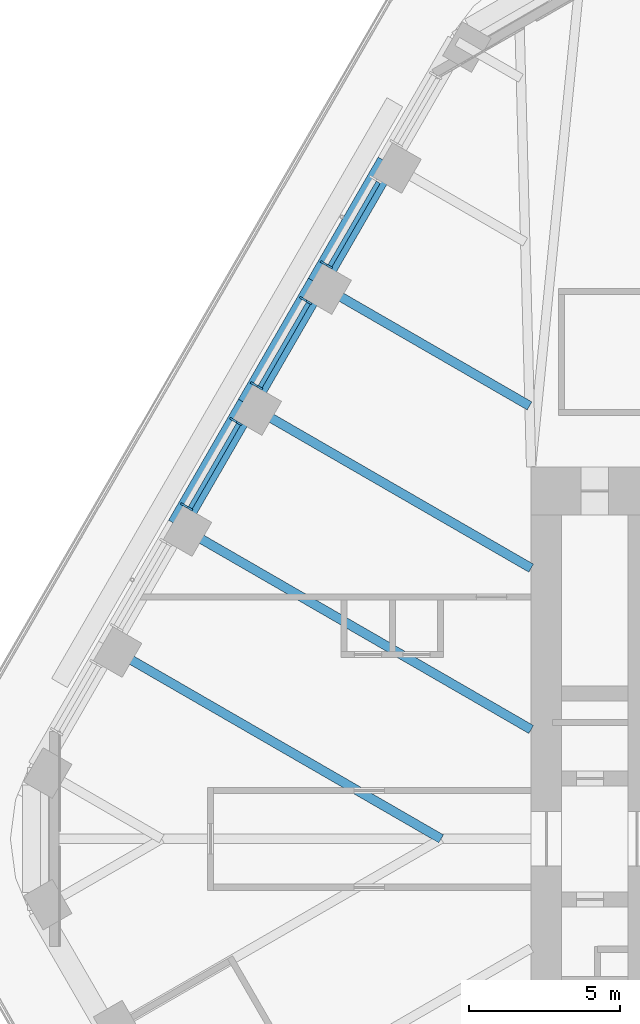
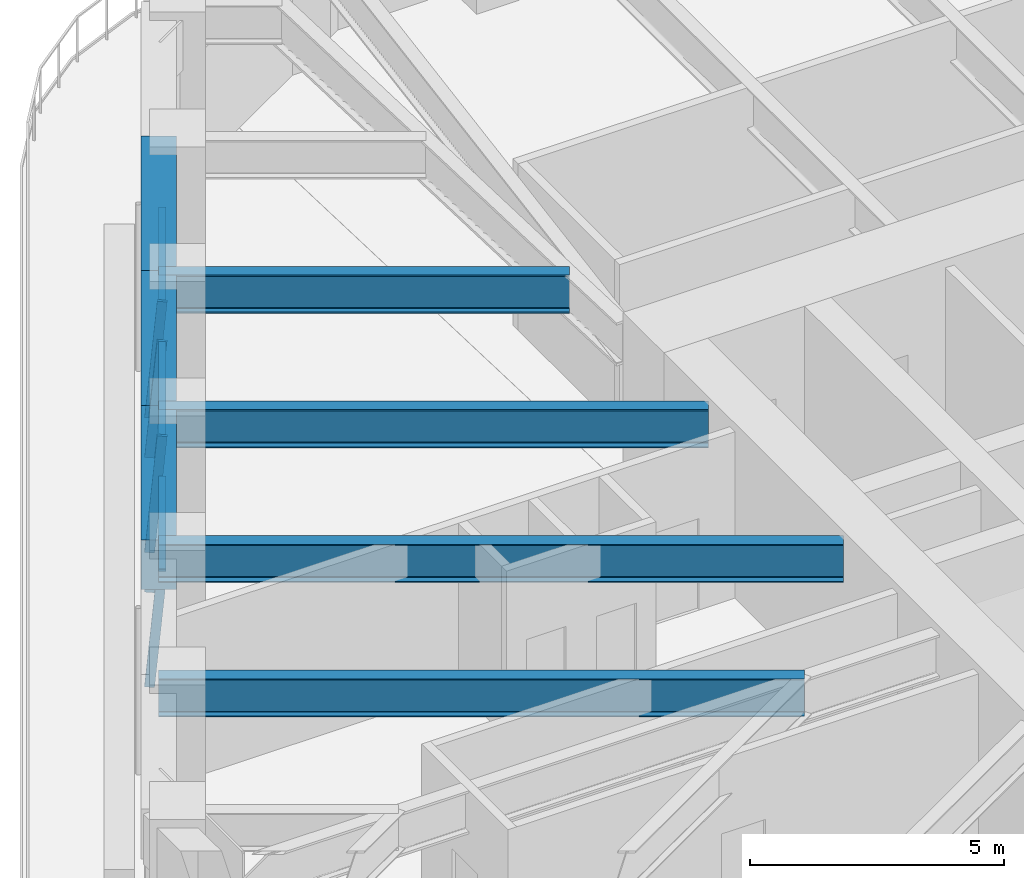
# One storey, part 7 of 20: 8 members, 7 beams, 3 elements without a shape of their own.
"""IFC4 building model written with IfcOpenShell, lengths in metres."""

from ifc_helpers import new_model, si_unit, direction, frame, origin, origin_2d, place, context, subcontext, project, spatial, rectangle, i_section, extrude, material, material_profile, profile_set, type_object, element, aggregate, save


model = new_model("IFC4")

# Units and contexts
model_context = context("Model", 3, precision=1e-05, world=origin(), true_north=direction((0.0, 1.0)))
body_context = subcontext(model_context, "Body", "Model", "MODEL_VIEW")
ifc_project = project(units=[si_unit("LENGTHUNIT", "METRE"), si_unit("AREAUNIT", "SQUARE_METRE"), si_unit("VOLUMEUNIT", "CUBIC_METRE"), si_unit("PLANEANGLEUNIT", "RADIAN"), si_unit("MASSUNIT", "GRAM", prefix="KILO")], contexts=[model_context])

# Site, building, storey
site_placement = place(None, origin())
site = spatial("IfcSite", under=ifc_project, at=site_placement, CompositionType="ELEMENT")
building_placement = place(site_placement, origin())
building = spatial("IfcBuilding", under=site, at=building_placement, Name="Tarfa Lantern Tower", CompositionType="ELEMENT")
storey_placement = place(building_placement, frame((0.0, 0.0, 244.89990234375)))
storey = spatial("IfcBuildingStorey", under=building, at=storey_placement, Name="L55", CompositionType="ELEMENT", Elevation=244.89990234375)

# Curtain wall, member
ifc_material_1 = material(Name="Aluminium framed curtain wall", Category="aluminium")
curtain_wall_type = type_object("IfcCurtainWallType", Name="CW3 CANTED GLAZING HIGH ZONE 2800", PredefinedType="USERDEFINED", material=ifc_material_1)
curtain_wall_1_placement = place(storey_placement, origin())
curtain_wall_1 = element("IfcCurtainWall", 1, at=curtain_wall_1_placement, inside=storey, type_object=curtain_wall_type, Name="CW3 NW L55", ObjectType="CURTAIN WALL", PredefinedType="USERDEFINED")
ifc_material_2 = material(Name="Aluminium mullion", Category="aluminium")
ifc_material_profile_1 = material_profile(ifc_material_2, rectangle(XDim=0.06494140625, YDim=0.199951171875, at=origin_2d()), Name="AL MULLION 65x200")
ifc_profile_set_1 = profile_set([ifc_material_profile_1], Name="Aluminium mullion")
member_type_1 = type_object("IfcMemberType", Name="CWM1 MULLION 65x200", PredefinedType="MULLION", material=ifc_profile_set_1)
member_1_placement = place(storey_placement, frame((-22.37744140625, 19.041015625, 0.0), z_axis=(0.077032386753, -0.044465143199, 0.996036576854), x_axis=(0.499919672301, 0.866071776036, 0.0)))
member_1 = element("IfcMember", 2, at=member_1_placement, type_object=member_type_1, Name="CW3 mullion 2", PredefinedType="MULLION", context=body_context, shape_type="SweptSolid", body=[
    extrude(rectangle(XDim=0.06494140625, YDim=0.199951171875, at=origin_2d()), origin(), (0.0, 0.0, 1.0), 2.811279296875),
])

# Curtain wall, members
curtain_wall_2_placement = place(storey_placement, origin())
curtain_wall_2 = element("IfcCurtainWall", 3, at=curtain_wall_2_placement, inside=storey, type_object=curtain_wall_type, Name="CW3 NW L55", ObjectType="CURTAIN WALL", PredefinedType="USERDEFINED")
member_2_placement = place(storey_placement, frame((-23.06005859375, 17.85888671875, 0.0), z_axis=(0.077032386753, -0.044465143199, 0.996036576854), x_axis=(0.499919672301, 0.866071776036, 0.0)))
member_2 = element("IfcMember", 4, at=member_2_placement, type_object=member_type_1, Name="CW3 mullion 1", PredefinedType="MULLION", context=body_context, shape_type="SweptSolid", body=[
    extrude(rectangle(XDim=0.06494140625, YDim=0.199951171875, at=origin_2d()), origin(), (0.0, 0.0, 1.0), 2.811279296875),
])
member_3_placement = place(storey_placement, frame((-24.686767578125, 15.041015625, 0.0), z_axis=(0.076946055247, -0.044465440504, 0.996043236603), x_axis=(0.500342721131, 0.865827443207, 0.0)))
member_3 = element("IfcMember", 5, at=member_3_placement, type_object=member_type_1, Name="CW3 mullion 2", PredefinedType="MULLION", context=body_context, shape_type="SweptSolid", body=[
    extrude(rectangle(XDim=0.06494140625, YDim=0.199951171875, at=origin_2d()), origin(), (0.0, 0.0, 1.0), 2.811279296875),
])

curtain_wall_3_placement = place(storey_placement, origin())
curtain_wall_3 = element("IfcCurtainWall", 6, at=curtain_wall_3_placement, inside=storey, type_object=curtain_wall_type, Name="CW3 NW L55", ObjectType="CURTAIN WALL", PredefinedType="USERDEFINED")
member_4_placement = place(storey_placement, frame((-25.369384765625, 13.85888671875, 0.0), z_axis=(0.077032386753, -0.044465143199, 0.996036576854), x_axis=(0.499919672301, 0.866071776036, 0.0)))
member_4 = element("IfcMember", 7, at=member_4_placement, type_object=member_type_1, Name="CW3 mullion 1", PredefinedType="MULLION", context=body_context, shape_type="SweptSolid", body=[
    extrude(rectangle(XDim=0.06494140625, YDim=0.199951171875, at=origin_2d()), origin(), (0.0, 0.0, 1.0), 2.811279296875),
])
member_5_placement = place(storey_placement, frame((-26.996337890625, 11.041015625, 0.0), z_axis=(0.077032386753, -0.044465143199, 0.996036576854), x_axis=(0.499919672301, 0.866071776036, 0.0)))
member_5 = element("IfcMember", 8, at=member_5_placement, type_object=member_type_1, Name="CW3 mullion 2", PredefinedType="MULLION", context=body_context, shape_type="SweptSolid", body=[
    extrude(rectangle(XDim=0.06494140625, YDim=0.199951171875, at=origin_2d()), origin(), (0.0, 0.0, 1.0), 2.811279296875),
])

# Member
ifc_material_3 = material(Name="Aluminium transom", Category="aluminium")
ifc_material_profile_2 = material_profile(ifc_material_3, rectangle(XDim=0.14990234375, YDim=0.06494140625, at=origin_2d()), Name="AL TRANSOM 150x65")
ifc_profile_set_2 = profile_set([ifc_material_profile_2], Name="Aluminium transom")
member_type_2 = type_object("IfcMemberType", Name="CWT1 TRANSOM 150x65", PredefinedType="USERDEFINED", material=ifc_profile_set_2)
member_6_placement = place(storey_placement, frame((-20.552734375, 21.707275390625, 2.767578125), z_axis=(-0.500000789788, -0.8660249478, 0.0), x_axis=(0.8660249478, -0.500000789788, 0.0)))
member_6 = element("IfcMember", 9, at=member_6_placement, type_object=member_type_2, Name="CW3 transom 1.2", ObjectType="TRANSOM", PredefinedType="USERDEFINED", context=body_context, shape_type="SweptSolid", body=[
    extrude(rectangle(XDim=0.14990234375, YDim=0.06494140625, at=origin_2d()), origin(), (0.0, 0.0, 1.0), 3.18896484375),
])

aggregate(curtain_wall_1, [member_1, member_6])

member_7_placement = place(storey_placement, frame((-22.8623046875, 17.707275390625, 2.767578125), z_axis=(-0.499943367995, -0.866058097819, 0.0), x_axis=(0.866058097819, -0.499943367995, 0.0)))
member_7 = element("IfcMember", 10, at=member_7_placement, type_object=member_type_2, Name="CW3 transom 1.2", ObjectType="TRANSOM", PredefinedType="USERDEFINED", context=body_context, shape_type="SweptSolid", body=[
    extrude(rectangle(XDim=0.14990234375, YDim=0.06494140625, at=origin_2d()), origin(), (0.0, 0.0, 1.0), 3.188720703125),
])

aggregate(curtain_wall_2, [member_2, member_3, member_7])

member_8_placement = place(storey_placement, frame((-25.171630859375, 13.707275390625, 2.767578125), z_axis=(-0.500000789788, -0.8660249478, 0.0), x_axis=(0.8660249478, -0.500000789788, 0.0)))
member_8 = element("IfcMember", 11, at=member_8_placement, type_object=member_type_2, Name="CW3 transom 1.2", ObjectType="TRANSOM", PredefinedType="USERDEFINED", context=body_context, shape_type="SweptSolid", body=[
    extrude(rectangle(XDim=0.14990234375, YDim=0.06494140625, at=origin_2d()), origin(), (0.0, 0.0, 1.0), 3.18896484375),
])

aggregate(curtain_wall_3, [member_4, member_5, member_8])

# Beams
ifc_material_4 = material(Name="Concrete C80/95", Category="concrete")
ifc_material_profile_3 = material_profile(ifc_material_4, rectangle(XDim=0.699951171875, YDim=1.199951171875, at=origin_2d()), Name="RC 700x1200")
ifc_profile_set_3 = profile_set([ifc_material_profile_3], Name="Concrete C80/95")
beam_type_1 = type_object("IfcBeamType", Name="EB3 RC 700x1200", PredefinedType="SPANDREL", material=ifc_profile_set_3)
beam_1_placement = place(storey_placement, frame((-20.25341796875, 22.360107421875, 3.400146484375), z_axis=(-0.499987836815, -0.866032426089, 0.0), x_axis=(0.866032426089, -0.499987836815, 0.0)))
element("IfcBeam", 12, at=beam_1_placement, inside=storey, type_object=beam_type_1, Name="Edge beam NW1", PredefinedType="SPANDREL", context=body_context, shape_type="SweptSolid", body=[
    extrude(rectangle(XDim=0.699951171875, YDim=1.199951171875, at=origin_2d()), origin(), (0.0, 0.0, 1.0), 4.61865234375),
])
beam_2_placement = place(storey_placement, frame((-22.562744140625, 18.360107421875, 3.400146484375), z_axis=(-0.500027479704, -0.866009537788, 0.0), x_axis=(0.866009537788, -0.500027479704, 0.0)))
element("IfcBeam", 13, at=beam_2_placement, inside=storey, type_object=beam_type_1, Name="Edge beam NW2", PredefinedType="SPANDREL", context=body_context, shape_type="SweptSolid", body=[
    extrude(rectangle(XDim=0.699951171875, YDim=1.199951171875, at=origin_2d()), origin(), (0.0, 0.0, 1.0), 4.618896484375),
])
beam_3_placement = place(storey_placement, frame((-24.872314453125, 14.360107421875, 3.400146484375), z_axis=(-0.499987836815, -0.866032426089, 0.0), x_axis=(0.866032426089, -0.499987836815, 0.0)))
element("IfcBeam", 14, at=beam_3_placement, inside=storey, type_object=beam_type_1, Name="Edge beam NW3", PredefinedType="SPANDREL", context=body_context, shape_type="SweptSolid", body=[
    extrude(rectangle(XDim=0.699951171875, YDim=1.199951171875, at=origin_2d()), origin(), (0.0, 0.0, 1.0), 4.61865234375),
])
ifc_material_5 = material(Name="Steel S460M", Category="steel")
ifc_material_profile_4 = material_profile(ifc_material_5, i_section(OverallWidth=0.305419921875, OverallDepth=0.91845703125, WebThickness=0.017333984375, FlangeThickness=0.02783203125, FilletRadius=0.01904296875, at=origin_2d()), Name="UB914x305x253")
ifc_profile_set_4 = profile_set([ifc_material_profile_4], Name="Steel S460M")
beam_type_2 = type_object("IfcBeamType", Name="UB914x305x253", PredefinedType="BEAM", material=ifc_profile_set_4)
beam_4_placement = place(storey_placement, frame((-22.562744140625, 18.360107421875, 3.541015625), z_axis=(0.866010787764, -0.500025314835, 0.0), x_axis=(0.500025314835, 0.866010787764, 0.0)))
element("IfcBeam", 15, at=beam_4_placement, inside=storey, type_object=beam_type_2, Name="Floor beam NW2", PredefinedType="BEAM", context=body_context, shape_type="SweptSolid", body=[
    extrude(i_section(OverallWidth=0.305419921875, OverallDepth=0.91845703125, WebThickness=0.017333984375, FlangeThickness=0.02783203125, FilletRadius=0.01904296875, at=origin_2d()), origin(), (0.0, 0.0, 1.0), 8.09423828125),
])
beam_5_placement = place(storey_placement, frame((-24.872314453125, 14.360107421875, 3.541015625), z_axis=(0.8660244219, -0.500001700669, 0.0), x_axis=(0.500001700669, 0.8660244219, 0.0)))
element("IfcBeam", 16, at=beam_5_placement, inside=storey, type_object=beam_type_2, Name="Floor beam NW3", PredefinedType="BEAM", context=body_context, shape_type="SweptSolid", body=[
    extrude(i_section(OverallWidth=0.305419921875, OverallDepth=0.91845703125, WebThickness=0.017333984375, FlangeThickness=0.02783203125, FilletRadius=0.01904296875, at=origin_2d()), origin(), (0.0, 0.0, 1.0), 10.822265625),
])
beam_6_placement = place(storey_placement, frame((-27.181640625, 10.360107421875, 3.541015625), z_axis=(0.866018002818, -0.500012818631, 0.0), x_axis=(0.500012818631, 0.866018002818, 0.0)))
element("IfcBeam", 17, at=beam_6_placement, inside=storey, type_object=beam_type_2, Name="Floor beam NW4", PredefinedType="BEAM", context=body_context, shape_type="SweptSolid", body=[
    extrude(i_section(OverallWidth=0.305419921875, OverallDepth=0.91845703125, WebThickness=0.017333984375, FlangeThickness=0.02783203125, FilletRadius=0.01904296875, at=origin_2d()), origin(), (0.0, 0.0, 1.0), 13.489013671875),
])
beam_7_placement = place(storey_placement, frame((-29.490966796875, 6.360107421875, 3.541015625), z_axis=(0.866022258038, -0.500005448553, 0.0), x_axis=(0.500005448553, 0.866022258038, 0.0)))
element("IfcBeam", 18, at=beam_7_placement, inside=storey, type_object=beam_type_2, Name="Floor beam NW5", PredefinedType="BEAM", context=body_context, shape_type="SweptSolid", body=[
    extrude(i_section(OverallWidth=0.305419921875, OverallDepth=0.91845703125, WebThickness=0.017333984375, FlangeThickness=0.02783203125, FilletRadius=0.01904296875, at=origin_2d()), origin(), (0.0, 0.0, 1.0), 12.719970703125),
])

save(model, "model.ifc")
